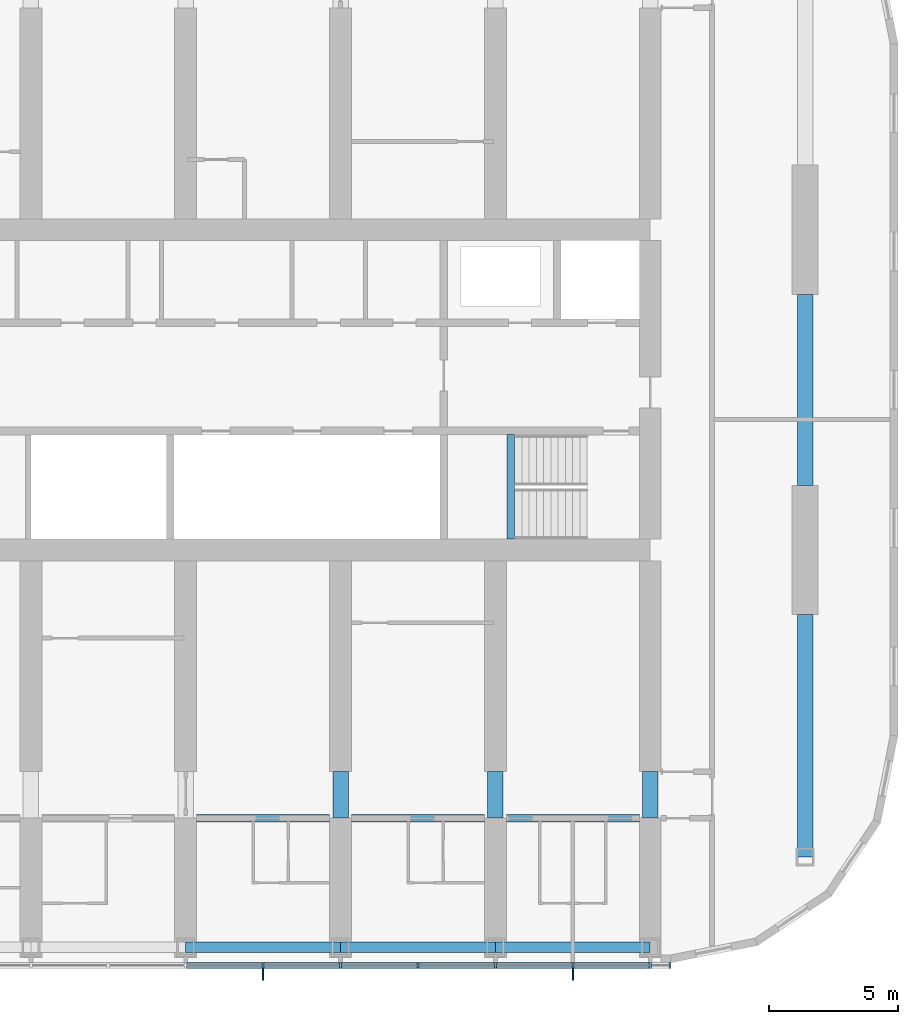
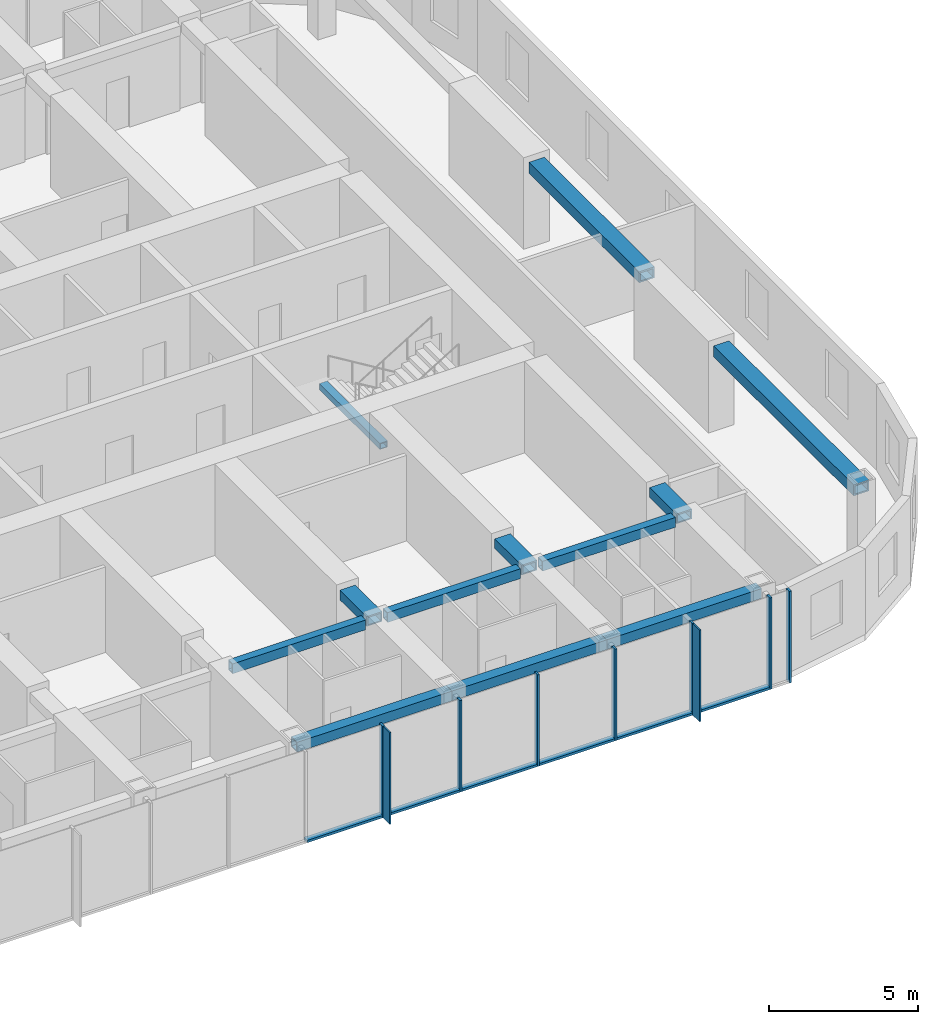
# One storey, part 3 of 22: 15 members, 12 beams, 1 element without a shape of its own.
"""IFC4 building model written with IfcOpenShell, lengths in metres."""

from ifc_helpers import new_model, si_unit, direction, frame, origin, origin_2d, place, context, subcontext, project, spatial, rectangle, hollow_rectangle, extrude, material, material_profile, profile_set, type_object, element, aggregate, save


model = new_model("IFC4")

# Units and contexts
model_context = context("Model", 3, precision=1e-05, world=origin(), true_north=direction((0.0, 1.0)))
body_context = subcontext(model_context, "Body", "Model", "MODEL_VIEW")
ifc_project = project(units=[si_unit("LENGTHUNIT", "METRE"), si_unit("AREAUNIT", "SQUARE_METRE"), si_unit("VOLUMEUNIT", "CUBIC_METRE"), si_unit("PLANEANGLEUNIT", "RADIAN"), si_unit("MASSUNIT", "GRAM", prefix="KILO")], contexts=[model_context])

# Site, building, storey
site_placement = place(None, origin())
site = spatial("IfcSite", under=ifc_project, at=site_placement, CompositionType="ELEMENT")
building_placement = place(site_placement, origin())
building = spatial("IfcBuilding", under=site, at=building_placement, Name="Orbita Commons", CompositionType="ELEMENT")
storey_placement = place(building_placement, frame((0.0, 0.0, 186.10009765625)))
storey = spatial("IfcBuildingStorey", under=building, at=storey_placement, Name="L46", CompositionType="ELEMENT", Elevation=186.10009765625)

# Curtain wall, members
ifc_material_1 = material(Name="Anodised aluminium frame, pale silver", Category="aluminium")
curtain_wall_type = type_object("IfcCurtainWallType", Name="Unitised curtain wall CW-U, full-height vision", PredefinedType="NOTDEFINED", material=ifc_material_1)
curtain_wall_placement = place(storey_placement, origin())
curtain_wall = element("IfcCurtainWall", 1, at=curtain_wall_placement, inside=storey, type_object=curtain_wall_type, Name="Curtain wall south L46", PredefinedType="NOTDEFINED")
ifc_material_2 = material(Name="Anodised aluminium, pale silver", Category="aluminium")
ifc_material_profile_1 = material_profile(ifc_material_2, rectangle(XDim=0.080078125, YDim=0.219970703125, at=origin_2d()), Name="AL 80x220")
ifc_profile_set_1 = profile_set([ifc_material_profile_1], Name="Anodised aluminium, pale silver")
member_type_1 = type_object("IfcMemberType", Name="Curtain wall mullion 80x220", PredefinedType="MULLION", material=ifc_profile_set_1)
member_1_placement = place(storey_placement, frame((51.0, 9.68994140625, -0.25), z_axis=(0.0, 0.0, 1.0), x_axis=(1.0, 0.0, 0.0)))
member_1 = element("IfcMember", 2, at=member_1_placement, type_object=member_type_1, Name="Mullion 13 CW-L46-S", PredefinedType="MULLION", context=body_context, shape_type="SweptSolid", body=[
    extrude(rectangle(XDim=0.080078125, YDim=0.219970703125, at=origin_2d()), origin(), (0.0, 0.0, 1.0), 3.75),
])
member_2_placement = place(storey_placement, frame((54.0, 9.68994140625, -0.25), z_axis=(0.0, 0.0, 1.0), x_axis=(1.0, 0.0, 0.0)))
member_2 = element("IfcMember", 3, at=member_2_placement, type_object=member_type_1, Name="Mullion 14 CW-L46-S", PredefinedType="MULLION", context=body_context, shape_type="SweptSolid", body=[
    extrude(rectangle(XDim=0.080078125, YDim=0.219970703125, at=origin_2d()), origin(), (0.0, 0.0, 1.0), 3.75),
])
member_3_placement = place(storey_placement, frame((57.0, 9.68994140625, -0.25), z_axis=(0.0, 0.0, 1.0), x_axis=(1.0, 0.0, 0.0)))
member_3 = element("IfcMember", 4, at=member_3_placement, type_object=member_type_1, Name="Mullion 15 CW-L46-S", PredefinedType="MULLION", context=body_context, shape_type="SweptSolid", body=[
    extrude(rectangle(XDim=0.080078125, YDim=0.219970703125, at=origin_2d()), origin(), (0.0, 0.0, 1.0), 3.75),
])
member_4_placement = place(storey_placement, frame((60.0, 9.68994140625, -0.25), z_axis=(0.0, 0.0, 1.0), x_axis=(1.0, 0.0, 0.0)))
member_4 = element("IfcMember", 5, at=member_4_placement, type_object=member_type_1, Name="Mullion 16 CW-L46-S", PredefinedType="MULLION", context=body_context, shape_type="SweptSolid", body=[
    extrude(rectangle(XDim=0.080078125, YDim=0.219970703125, at=origin_2d()), origin(), (0.0, 0.0, 1.0), 3.75),
])
member_5_placement = place(storey_placement, frame((63.0, 9.68994140625, -0.25), z_axis=(0.0, 0.0, 1.0), x_axis=(1.0, 0.0, 0.0)))
member_5 = element("IfcMember", 6, at=member_5_placement, type_object=member_type_1, Name="Mullion 17 CW-L46-S", PredefinedType="MULLION", context=body_context, shape_type="SweptSolid", body=[
    extrude(rectangle(XDim=0.080078125, YDim=0.219970703125, at=origin_2d()), origin(), (0.0, 0.0, 1.0), 3.75),
])
member_6_placement = place(storey_placement, frame((66.0, 9.68994140625, -0.25), z_axis=(0.0, 0.0, 1.0), x_axis=(1.0, 0.0, 0.0)))
member_6 = element("IfcMember", 7, at=member_6_placement, type_object=member_type_1, Name="Mullion 18 CW-L46-S", PredefinedType="MULLION", context=body_context, shape_type="SweptSolid", body=[
    extrude(rectangle(XDim=0.080078125, YDim=0.219970703125, at=origin_2d()), origin(), (0.0, 0.0, 1.0), 3.75),
])
member_7_placement = place(storey_placement, frame((66.760009765625, 9.68994140625, -0.25), z_axis=(0.0, 0.0, 1.0), x_axis=(1.0, 0.0, 0.0)))
member_7 = element("IfcMember", 8, at=member_7_placement, type_object=member_type_1, Name="Mullion 19 CW-L46-S", PredefinedType="MULLION", context=body_context, shape_type="SweptSolid", body=[
    extrude(rectangle(XDim=0.080078125, YDim=0.219970703125, at=origin_2d()), origin(), (0.0, 0.0, 1.0), 3.75),
])
ifc_material_3 = material(Name="Anodised aluminium, pale silver", Category="aluminium")
ifc_material_profile_2 = material_profile(ifc_material_3, rectangle(XDim=0.219970703125, YDim=0.10009765625, at=origin_2d()), Name="AL 220x100")
ifc_profile_set_2 = profile_set([ifc_material_profile_2], Name="Anodised aluminium, pale silver")
member_type_2 = type_object("IfcMemberType", Name="Curtain wall stack transom 220x100", PredefinedType="USERDEFINED", material=ifc_profile_set_2)
member_8_placement = place(storey_placement, frame((48.0400390625, 9.68994140625, -0.2001953125), z_axis=(1.0, 0.0, 0.0), x_axis=(0.0, 1.0, 0.0)))
member_8 = element("IfcMember", 9, at=member_8_placement, type_object=member_type_2, Name="Transom 12.1 CW-L46-S", ObjectType="TRANSOM", PredefinedType="USERDEFINED", context=body_context, shape_type="SweptSolid", body=[
    extrude(rectangle(XDim=0.219970703125, YDim=0.10009765625, at=origin_2d()), origin(), (0.0, 0.0, 1.0), 2.919921875),
])
member_9_placement = place(storey_placement, frame((51.0400390625, 9.68994140625, -0.2001953125), z_axis=(1.0, 0.0, 0.0), x_axis=(0.0, 1.0, 0.0)))
member_9 = element("IfcMember", 10, at=member_9_placement, type_object=member_type_2, Name="Transom 13.1 CW-L46-S", ObjectType="TRANSOM", PredefinedType="USERDEFINED", context=body_context, shape_type="SweptSolid", body=[
    extrude(rectangle(XDim=0.219970703125, YDim=0.10009765625, at=origin_2d()), origin(), (0.0, 0.0, 1.0), 2.919921875),
])
member_10_placement = place(storey_placement, frame((54.0400390625, 9.68994140625, -0.2001953125), z_axis=(1.0, 0.0, 0.0), x_axis=(0.0, 1.0, 0.0)))
member_10 = element("IfcMember", 11, at=member_10_placement, type_object=member_type_2, Name="Transom 14.1 CW-L46-S", ObjectType="TRANSOM", PredefinedType="USERDEFINED", context=body_context, shape_type="SweptSolid", body=[
    extrude(rectangle(XDim=0.219970703125, YDim=0.10009765625, at=origin_2d()), origin(), (0.0, 0.0, 1.0), 2.919921875),
])
member_11_placement = place(storey_placement, frame((57.0400390625, 9.68994140625, -0.2001953125), z_axis=(1.0, 0.0, 0.0), x_axis=(0.0, 1.0, 0.0)))
member_11 = element("IfcMember", 12, at=member_11_placement, type_object=member_type_2, Name="Transom 15.1 CW-L46-S", ObjectType="TRANSOM", PredefinedType="USERDEFINED", context=body_context, shape_type="SweptSolid", body=[
    extrude(rectangle(XDim=0.219970703125, YDim=0.10009765625, at=origin_2d()), origin(), (0.0, 0.0, 1.0), 2.919921875),
])
member_12_placement = place(storey_placement, frame((60.0400390625, 9.68994140625, -0.2001953125), z_axis=(1.0, 0.0, 0.0), x_axis=(0.0, 1.0, 0.0)))
member_12 = element("IfcMember", 13, at=member_12_placement, type_object=member_type_2, Name="Transom 16.1 CW-L46-S", ObjectType="TRANSOM", PredefinedType="USERDEFINED", context=body_context, shape_type="SweptSolid", body=[
    extrude(rectangle(XDim=0.219970703125, YDim=0.10009765625, at=origin_2d()), origin(), (0.0, 0.0, 1.0), 2.919921875),
])
member_13_placement = place(storey_placement, frame((63.0400390625, 9.68994140625, -0.2001953125), z_axis=(1.0, 0.0, 0.0), x_axis=(0.0, 1.0, 0.0)))
member_13 = element("IfcMember", 14, at=member_13_placement, type_object=member_type_2, Name="Transom 17.1 CW-L46-S", ObjectType="TRANSOM", PredefinedType="USERDEFINED", context=body_context, shape_type="SweptSolid", body=[
    extrude(rectangle(XDim=0.219970703125, YDim=0.10009765625, at=origin_2d()), origin(), (0.0, 0.0, 1.0), 2.919921875),
])

# Beams
ifc_material_4 = material(Name="Steel ASTM A572 Gr 50 welded plate", Category="steel")
ifc_material_profile_3 = material_profile(ifc_material_4, hollow_rectangle(XDim=0.300048828125, YDim=0.25, WallThickness=0.02490234375, at=origin_2d()), Name="BOX 250x300x25")
ifc_profile_set_3 = profile_set([ifc_material_profile_3], Name="Steel ASTM A572 Gr 50 welded plate")
beam_type_1 = type_object("IfcBeamType", Name="Stair landing beam steel BOX 250x300x25", PredefinedType="BEAM", material=ifc_profile_set_3)
beam_1_placement = place(storey_placement, frame((60.60009765625, 26.2099609375, 1.5498046875), z_axis=(0.0, 1.0, 0.0), x_axis=(-1.0, 0.0, 0.0)))
element("IfcBeam", 15, at=beam_1_placement, inside=storey, type_object=beam_type_1, Name="Stair S2 landing beam L46 1", PredefinedType="BEAM", context=body_context, shape_type="SweptSolid", body=[
    extrude(hollow_rectangle(XDim=0.300048828125, YDim=0.25, WallThickness=0.02490234375, at=origin_2d()), origin(), (0.0, 0.0, 1.0), 4.054931640625),
])
ifc_material_5 = material(Name="Steel ASTM A572 Gr 50 welded plate", Category="steel")
ifc_material_profile_4 = material_profile(ifc_material_5, hollow_rectangle(XDim=0.300048828125, YDim=0.39990234375, WallThickness=0.0400390625, at=origin_2d()), Name="BOX 400x300x40")
ifc_profile_set_4 = profile_set([ifc_material_profile_4], Name="Steel ASTM A572 Gr 50 welded plate")
beam_type_2 = type_object("IfcBeamType", Name="Steel corridor link BOX 400x300x40", PredefinedType="BEAM", material=ifc_profile_set_4)
for number, where, z_axis, x_axis, name in (
    (16, (48.425048828125, 15.39990234375, 3.2998046875), (1.0, 0.0, 0.0), (0.0, 1.0, 0.0), "Corridor beam SA 9-10 L46"),
    (17, (54.425048828125, 15.39990234375, 3.2998046875), (1.0, 0.0, 0.0), (0.0, 1.0, 0.0), "Corridor beam SA 10-11 L46"),
    (18, (60.425048828125, 15.39990234375, 3.2998046875), (1.0, 0.0, 0.0), (0.0, 1.0, 0.0), "Corridor beam SA 11-12 L46"),
):
    element("IfcBeam", number, at=place(storey_placement, frame(where, z_axis=z_axis, x_axis=x_axis)), inside=storey, type_object=beam_type_2, Name=name, PredefinedType="BEAM", context=body_context, shape_type="SweptSolid", body=[
        extrude(hollow_rectangle(XDim=0.300048828125, YDim=0.39990234375, WallThickness=0.0400390625, at=origin_2d()), origin(), (0.0, 0.0, 1.0), 5.14990234375),
    ])
ifc_material_6 = material(Name="Steel ASTM A572 Gr 50 welded plate", Category="steel")
ifc_material_profile_5 = material_profile(ifc_material_6, hollow_rectangle(XDim=0.60009765625, YDim=0.39990234375, WallThickness=0.050048828125, at=origin_2d()), Name="BOX 400x600x50")
ifc_profile_set_5 = profile_set([ifc_material_profile_5], Name="Steel ASTM A572 Gr 50 welded plate")
beam_type_3 = type_object("IfcBeamType", Name="Steel coupling link BOX 400x600x50", PredefinedType="LINTEL", material=ifc_profile_set_5)
for number, where, z_axis, x_axis, name in (
    (19, (54.0, 15.39990234375, 3.2998046875), (0.0, 1.0, 0.0), (-1.0, 0.0, 0.0), "Coupling beam 10 south L46"),
    (20, (60.0, 15.39990234375, 3.2998046875), (0.0, 1.0, 0.0), (-1.0, 0.0, 0.0), "Coupling beam 11 south L46"),
    (21, (66.0, 15.39990234375, 3.2998046875), (0.0, 1.0, 0.0), (-1.0, 0.0, 0.0), "Coupling beam 12 south L46"),
):
    element("IfcBeam", number, at=place(storey_placement, frame(where, z_axis=z_axis, x_axis=x_axis)), inside=storey, type_object=beam_type_3, Name=name, PredefinedType="LINTEL", context=body_context, shape_type="SweptSolid", body=[
        extrude(hollow_rectangle(XDim=0.60009765625, YDim=0.39990234375, WallThickness=0.050048828125, at=origin_2d()), origin(), (0.0, 0.0, 1.0), 1.800048828125),
    ])
ifc_material_7 = material(Name="Steel ASTM A572 Gr 50 welded plate", Category="steel")
ifc_material_profile_6 = material_profile(ifc_material_7, hollow_rectangle(XDim=0.60009765625, YDim=0.449951171875, WallThickness=0.06005859375, at=origin_2d()), Name="BOX 450x600x60")
ifc_profile_set_6 = profile_set([ifc_material_profile_6], Name="Steel ASTM A572 Gr 50 welded plate")
beam_type_4 = type_object("IfcBeamType", Name="Steel end frame link BOX 450x600x60", PredefinedType="BEAM", material=ifc_profile_set_6)
beam_2_placement = place(storey_placement, frame((72.0, 13.89990234375, 3.27490234375), z_axis=(0.0, 1.0, 0.0), x_axis=(-1.0, 0.0, 0.0)))
element("IfcBeam", 22, at=beam_2_placement, inside=storey, type_object=beam_type_4, Name="End frame beam 13 B-C L46", PredefinedType="BEAM", context=body_context, shape_type="SweptSolid", body=[
    extrude(hollow_rectangle(XDim=0.60009765625, YDim=0.449951171875, WallThickness=0.06005859375, at=origin_2d()), origin(), (0.0, 0.0, 1.0), 9.400146484375),
])
beam_3_placement = place(storey_placement, frame((72.0, 28.300048828125, 3.27490234375), z_axis=(0.0, 1.0, 0.0), x_axis=(-1.0, 0.0, 0.0)))
element("IfcBeam", 23, at=beam_3_placement, inside=storey, type_object=beam_type_4, Name="End frame beam 13 C-D L46", PredefinedType="BEAM", context=body_context, shape_type="SweptSolid", body=[
    extrude(hollow_rectangle(XDim=0.60009765625, YDim=0.449951171875, WallThickness=0.06005859375, at=origin_2d()), origin(), (0.0, 0.0, 1.0), 7.39990234375),
])
ifc_material_8 = material(Name="Steel ASTM A572 Gr 50 welded plate", Category="steel")
ifc_material_profile_7 = material_profile(ifc_material_8, hollow_rectangle(XDim=0.39990234375, YDim=0.39990234375, WallThickness=0.0400390625, at=origin_2d()), Name="BOX 400x400x40")
ifc_profile_set_7 = profile_set([ifc_material_profile_7], Name="Steel ASTM A572 Gr 50 welded plate")
beam_type_5 = type_object("IfcBeamType", Name="Steel spandrel BOX 400x400x40", PredefinedType="SPANDREL", material=ifc_profile_set_7)
for number, where, z_axis, x_axis, name in (
    (24, (48.0, 10.39990234375, 3.2998046875), (1.0, 0.0, 0.0), (0.0, 1.0, 0.0), "Spandrel beam B 9-10 L46"),
    (25, (54.0, 10.39990234375, 3.2998046875), (1.0, 0.0, 0.0), (0.0, 1.0, 0.0), "Spandrel beam B 10-11 L46"),
    (26, (60.0, 10.39990234375, 3.2998046875), (1.0, 0.0, 0.0), (0.0, 1.0, 0.0), "Spandrel beam B 11-12 L46"),
):
    element("IfcBeam", number, at=place(storey_placement, frame(where, z_axis=z_axis, x_axis=x_axis)), inside=storey, type_object=beam_type_5, Name=name, PredefinedType="SPANDREL", context=body_context, shape_type="SweptSolid", body=[
        extrude(hollow_rectangle(XDim=0.39990234375, YDim=0.39990234375, WallThickness=0.0400390625, at=origin_2d()), origin(), (0.0, 0.0, 1.0), 6.0),
    ])

# Member
ifc_material_9 = material(Name="Anodised aluminium, pale silver", Category="aluminium")
ifc_material_profile_8 = material_profile(ifc_material_9, rectangle(XDim=0.06005859375, YDim=0.449951171875, at=origin_2d()), Name="FIN 60x450")
ifc_profile_set_8 = profile_set([ifc_material_profile_8], Name="Anodised aluminium, pale silver")
member_type_3 = type_object("IfcMemberType", Name="Vertical fin 60x450 pale aluminium", PredefinedType="USERDEFINED", material=ifc_profile_set_8)
member_14_placement = place(storey_placement, frame((51.0, 9.35498046875, -0.25), z_axis=(0.0, 0.0, 1.0), x_axis=(1.0, 0.0, 0.0)))
member_14 = element("IfcMember", 27, at=member_14_placement, type_object=member_type_3, Name="Fin 13 CW-L46-S", ObjectType="FIN", PredefinedType="USERDEFINED", context=body_context, shape_type="SweptSolid", body=[
    extrude(rectangle(XDim=0.06005859375, YDim=0.449951171875, at=origin_2d()), origin(), (0.0, 0.0, 1.0), 3.75),
])

member_15_placement = place(storey_placement, frame((63.0, 9.35498046875, -0.25), z_axis=(0.0, 0.0, 1.0), x_axis=(1.0, 0.0, 0.0)))
member_15 = element("IfcMember", 28, at=member_15_placement, type_object=member_type_3, Name="Fin 17 CW-L46-S", ObjectType="FIN", PredefinedType="USERDEFINED", context=body_context, shape_type="SweptSolid", body=[
    extrude(rectangle(XDim=0.06005859375, YDim=0.449951171875, at=origin_2d()), origin(), (0.0, 0.0, 1.0), 3.75),
])

aggregate(curtain_wall, [member_1, member_14, member_2, member_3, member_4, member_5, member_15, member_6, member_7, member_8, member_9, member_10, member_11, member_12, member_13])

save(model, "model.ifc")
